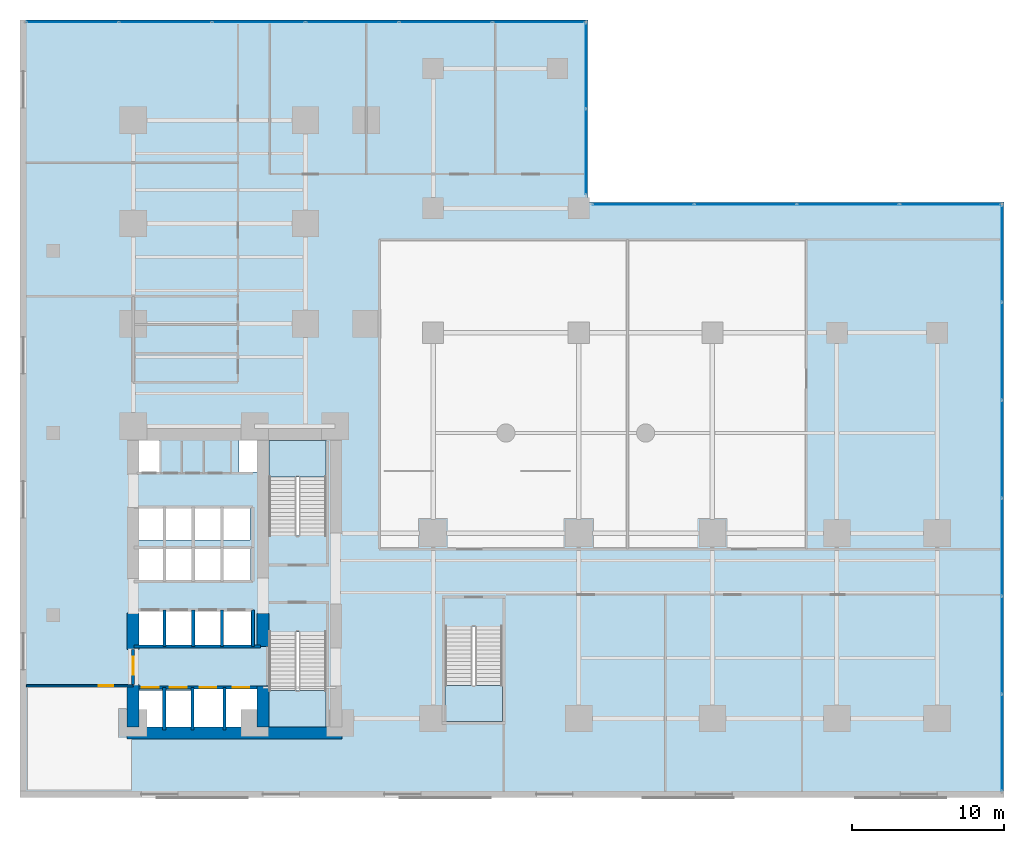
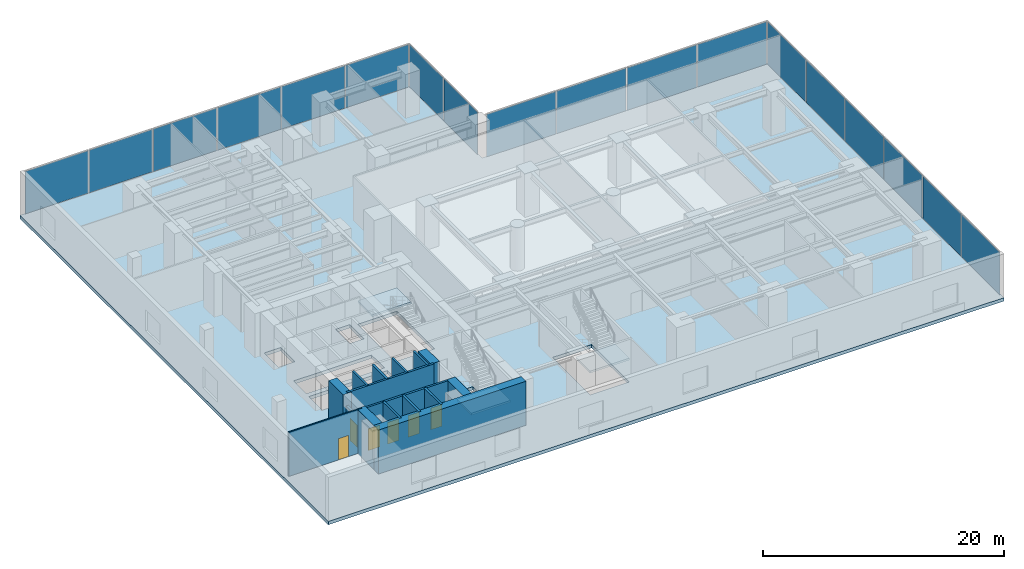
# One storey, part 11 of 16: 18 plates, 16 walls, 6 doors, 4 slabs, 6 openings, 7 elements without a shape of their own.
"""IFC4 building model written with IfcOpenShell, lengths in metres."""

from ifc_helpers import new_model, si_unit, direction, frame, frame_2d, origin, origin_with_axes, origin_2d, place, context, subcontext, project, spatial, polyline, rectangle, outline, extrude, source, transform, mapped, material, layer, layer_set, type_object, element, fill, aggregate, save


model = new_model("IFC4")

# Units and contexts
model_context = context("Model", 3, precision=1e-05, world=origin(), true_north=direction((0.0, 1.0)))
body_context = subcontext(model_context, "Body", "Model", "MODEL_VIEW")
ifc_project = project(units=[si_unit("LENGTHUNIT", "METRE"), si_unit("AREAUNIT", "SQUARE_METRE"), si_unit("VOLUMEUNIT", "CUBIC_METRE"), si_unit("PLANEANGLEUNIT", "RADIAN"), si_unit("MASSUNIT", "GRAM", prefix="KILO")], contexts=[model_context])

# Site, building, storey
site_placement = place(None, origin())
site = spatial("IfcSite", under=ifc_project, at=site_placement, CompositionType="ELEMENT")
building_placement = place(site_placement, origin())
building = spatial("IfcBuilding", under=site, at=building_placement, Name="Kolvaren Waterfront Exchange", CompositionType="ELEMENT")
storey_placement = place(building_placement, frame((0.0, 0.0, 15.199951171875)))
storey = spatial("IfcBuildingStorey", under=building, at=storey_placement, Name="L04", CompositionType="ELEMENT", Elevation=15.199951171875)

# Stair, slab
ifc_material_1 = material(Name="Concrete C40/50", Category="concrete")
stair_type = type_object("IfcStairType", Name="ARC-STAIR-4800", PredefinedType="HALF_TURN_STAIR", material=ifc_material_1)
stair_1_placement = place(storey_placement, origin())
stair_1 = element("IfcStair", 1, at=stair_1_placement, inside=storey, type_object=stair_type, Name="L04 Smoke-proof exit stair ST1", PredefinedType="HALF_TURN_STAIR")
ifc_layer_1 = layer(ifc_material_1, 0.199951171875, Name="Concrete C40/50")
ifc_layer_set_1 = layer_set([ifc_layer_1], Name="Concrete C40/50")
slab_type_1 = type_object("IfcSlabType", Name="STR-LANDING-200", PredefinedType="LANDING", material=ifc_layer_set_1)
slab_1_placement = place(storey_placement, frame((0.0, 0.0, 2.199951171875)))
slab_1 = element("IfcSlab", 2, at=slab_1_placement, type_object=slab_type_1, Name="ST1 landing 1", PredefinedType="LANDING", context=body_context, shape_type="SweptSolid", body=[
    extrude(outline(polyline([(16.39990234375, 7.030029296875), (16.39990234375, 4.64990234375), (20.159912109375, 4.64990234375), (20.159912109375, 7.030029296875), (16.39990234375, 7.030029296875)])), origin(), (0.0, 0.0, 1.0), 0.2001953125),
])
aggregate(stair_1, [slab_1])

stair_2_placement = place(storey_placement, origin())
stair_2 = element("IfcStair", 3, at=stair_2_placement, inside=storey, type_object=stair_type, Name="L04 Smoke-proof exit stair ST2", PredefinedType="HALF_TURN_STAIR")
slab_2_placement = place(storey_placement, frame((0.0, 0.0, 2.199951171875)))
slab_2 = element("IfcSlab", 4, at=slab_2_placement, type_object=slab_type_1, Name="ST2 landing 1", PredefinedType="LANDING", context=body_context, shape_type="SweptSolid", body=[
    extrude(outline(polyline([(20.159912109375, 21.1201171875), (20.159912109375, 23.5), (16.39990234375, 23.5), (16.39990234375, 21.1201171875), (20.159912109375, 21.1201171875)])), origin(), (0.0, 0.0, 1.0), 0.2001953125),
])
aggregate(stair_2, [slab_2])

stair_3_placement = place(storey_placement, origin())
stair_3 = element("IfcStair", 5, at=stair_3_placement, inside=storey, type_object=stair_type, Name="L04 Exit stair ST3", PredefinedType="HALF_TURN_STAIR")
slab_3_placement = place(storey_placement, frame((0.0, 0.0, 2.199951171875)))
slab_3 = element("IfcSlab", 6, at=slab_3_placement, type_object=slab_type_1, Name="ST3 landing 1", PredefinedType="LANDING", context=body_context, shape_type="SweptSolid", body=[
    extrude(outline(polyline([(28.0, 7.3798828125), (28.0, 5.0), (31.760009765625, 5.0), (31.760009765625, 7.3798828125), (28.0, 7.3798828125)])), origin(), (0.0, 0.0, 1.0), 0.2001953125),
])
aggregate(stair_3, [slab_3])

# Slab
ifc_layer_2 = layer(ifc_material_1, 0.340087890625, Name="Concrete C40/50")
ifc_layer_set_2 = layer_set([ifc_layer_2], Name="Concrete C40/50")
slab_type_2 = type_object("IfcSlabType", Name="STR-SLAB-340", PredefinedType="FLOOR", material=ifc_layer_set_2)
slab_4_placement = place(storey_placement, frame((0.0, 0.0, -0.33984375)))
element("IfcSlab", 7, at=slab_4_placement, inside=storey, type_object=slab_type_2, Name="L04 structural floor slab", PredefinedType="FLOOR", context=body_context, shape_type="SweptSolid", body=[
    extrude(outline(polyline([(0.0, 0.0), (64.800048828125, 0.0), (64.800048828125, 39.199951171875), (37.39990234375, 39.199951171875), (37.39990234375, 51.199951171875), (0.0, 51.199951171875), (0.0, 0.0)]), holes=[polyline([(11.320068359375, 7.260009765625), (15.610107421875, 7.260009765625), (15.610107421875, 4.5400390625), (7.719970703125, 4.5400390625), (7.719970703125, 7.06005859375), (11.320068359375, 7.06005859375), (11.320068359375, 7.260009765625)]), polyline([(20.159912109375, 4.64990234375), (16.39990234375, 4.64990234375), (16.39990234375, 10.89990234375), (20.159912109375, 10.89990234375), (20.159912109375, 4.64990234375)]), polyline([(31.760009765625, 5.0), (28.0, 5.0), (28.0, 11.25), (31.760009765625, 11.25), (31.760009765625, 5.0)]), polyline([(15.2099609375, 10.0400390625), (7.6201171875, 10.0400390625), (7.6201171875, 12.360107421875), (15.2099609375, 12.360107421875), (15.2099609375, 10.0400390625)]), polyline([(7.64501953125, 16.4599609375), (15.18505859375, 16.4599609375), (15.18505859375, 14.239990234375), (7.64501953125, 14.239990234375), (7.64501953125, 16.4599609375)]), polyline([(15.159912109375, 16.93994140625), (7.669921875, 16.93994140625), (7.669921875, 19.06005859375), (15.159912109375, 19.06005859375), (15.159912109375, 16.93994140625)]), polyline([(16.39990234375, 23.5), (20.159912109375, 23.5), (20.159912109375, 17.25), (16.39990234375, 17.25), (16.39990234375, 23.5)]), polyline([(7.60009765625, 23.780029296875), (9.179931640625, 23.780029296875), (9.179931640625, 21.419921875), (7.60009765625, 21.419921875), (7.60009765625, 23.780029296875)]), polyline([(15.800048828125, 23.780029296875), (15.800048828125, 21.419921875), (14.419921875, 21.419921875), (14.419921875, 23.780029296875), (15.800048828125, 23.780029296875)])]), origin(), (0.0, 0.0, 1.0), 0.33984375),
])

# Curtain wall, plates
ifc_material_2 = material(Name="Anodised bronze aluminium 6063-T6", Category="aluminium")
ifc_layer_3 = layer(ifc_material_2, 0.219970703125, Name="Anodised bronze aluminium 6063-T6")
ifc_layer_set_3 = layer_set([ifc_layer_3], Name="Anodised bronze aluminium 6063-T6")
curtain_wall_type_1 = type_object("IfcCurtainWallType", Name="ARC-CW-SYS4", PredefinedType="USERDEFINED", material=ifc_layer_set_3)
curtain_wall_1_placement = place(storey_placement, origin())
curtain_wall_1 = element("IfcCurtainWall", 8, at=curtain_wall_1_placement, inside=storey, type_object=curtain_wall_type_1, Name="L04 stick curtain wall CW4 (CW-L04-E1)", ObjectType="STICK CURTAIN WALL", PredefinedType="USERDEFINED")
ifc_material_3 = material(Name="High-span laminated vision glass", Category="glass")
ifc_layer_4 = layer(ifc_material_3, 0.035888671875, Name="High-span laminated vision glass")
ifc_layer_set_4 = layer_set([ifc_layer_4], Name="High-span laminated vision glass")
plate_type_1 = type_object("IfcPlateType", Name="ARC-CWP-36", PredefinedType="CURTAIN_PANEL", material=ifc_layer_set_4)
shared_shape_1 = source(origin_with_axes(), body_context, "Body", "SweptSolid", [
    extrude(rectangle(XDim=6.331787109375, YDim=0.035888671875, at=origin_2d()), origin(), (0.0, 0.0, 1.0), 4.31005859375),
])
plate_1_placement = place(storey_placement, frame((64.659912109375, 3.595947265625, 0.074951171875), z_axis=(0.0, 0.0, 1.0), x_axis=(0.0, 1.0, 0.0)))
plate_1 = element("IfcPlate", 9, at=plate_1_placement, type_object=plate_type_1, Name="CW4 panel 1.1", PredefinedType="CURTAIN_PANEL", context=body_context, shape_type="MappedRepresentation", body=[
    mapped(shared_shape_1, transform((0.0, 0.0, 0.0), x_axis=(1.0, 0.0, 0.0), y_axis=(0.0, 1.0, 0.0), z_axis=(0.0, 0.0, 1.0), scale=1.0)),
])
plate_2_placement = place(storey_placement, frame((64.659912109375, 35.814208984375, 0.074951171875), z_axis=(0.0, 0.0, 1.0), x_axis=(0.0, 1.0, 0.0)))
plate_2 = element("IfcPlate", 10, at=plate_2_placement, type_object=plate_type_1, Name="CW4 panel 6.1", PredefinedType="CURTAIN_PANEL", context=body_context, shape_type="MappedRepresentation", body=[
    mapped(shared_shape_1, transform((0.0, 0.0, 0.0), x_axis=(1.0, 0.0, 0.0), y_axis=(0.0, 1.0, 0.0), z_axis=(0.0, 0.0, 1.0), scale=1.0)),
])
shared_shape_2 = source(origin_with_axes(), body_context, "Body", "SweptSolid", [
    extrude(rectangle(XDim=6.37158203125, YDim=0.035888671875, at=origin_2d()), origin(), (0.0, 0.0, 1.0), 4.31005859375),
])
plate_3_placement = place(storey_placement, frame((64.659912109375, 10.027587890625, 0.074951171875), z_axis=(0.0, 0.0, 1.0), x_axis=(0.0, 1.0, 0.0)))
plate_3 = element("IfcPlate", 11, at=plate_3_placement, type_object=plate_type_1, Name="CW4 panel 2.1", PredefinedType="CURTAIN_PANEL", context=body_context, shape_type="MappedRepresentation", body=[
    mapped(shared_shape_2, transform((0.0, 0.0, 0.0), x_axis=(1.0, 0.0, 0.0), y_axis=(0.0, 1.0, 0.0), z_axis=(0.0, 0.0, 1.0), scale=1.0)),
])
plate_4_placement = place(storey_placement, frame((64.659912109375, 16.479248046875, 0.074951171875), z_axis=(0.0, 0.0, 1.0), x_axis=(0.0, 1.0, 0.0)))
plate_4 = element("IfcPlate", 12, at=plate_4_placement, type_object=plate_type_1, Name="CW4 panel 3.1", PredefinedType="CURTAIN_PANEL", context=body_context, shape_type="MappedRepresentation", body=[
    mapped(shared_shape_2, transform((0.0, 0.0, 0.0), x_axis=(1.0, 0.0, 0.0), y_axis=(0.0, 1.0, 0.0), z_axis=(0.0, 0.0, 1.0), scale=1.0)),
])
plate_5_placement = place(storey_placement, frame((64.659912109375, 22.930908203125, 0.074951171875), z_axis=(0.0, 0.0, 1.0), x_axis=(0.0, 1.0, 0.0)))
plate_5 = element("IfcPlate", 13, at=plate_5_placement, type_object=plate_type_1, Name="CW4 panel 4.1", PredefinedType="CURTAIN_PANEL", context=body_context, shape_type="MappedRepresentation", body=[
    mapped(shared_shape_2, transform((0.0, 0.0, 0.0), x_axis=(1.0, 0.0, 0.0), y_axis=(0.0, 1.0, 0.0), z_axis=(0.0, 0.0, 1.0), scale=1.0)),
])
plate_6_placement = place(storey_placement, frame((64.659912109375, 29.382568359375, 0.074951171875), z_axis=(0.0, 0.0, 1.0), x_axis=(0.0, 1.0, 0.0)))
plate_6 = element("IfcPlate", 14, at=plate_6_placement, type_object=plate_type_1, Name="CW4 panel 5.1", PredefinedType="CURTAIN_PANEL", context=body_context, shape_type="MappedRepresentation", body=[
    mapped(shared_shape_2, transform((0.0, 0.0, 0.0), x_axis=(1.0, 0.0, 0.0), y_axis=(0.0, 1.0, 0.0), z_axis=(0.0, 0.0, 1.0), scale=1.0)),
])
aggregate(curtain_wall_1, [plate_1, plate_3, plate_4, plate_5, plate_6, plate_2])

curtain_wall_2_placement = place(storey_placement, origin())
curtain_wall_2 = element("IfcCurtainWall", 15, at=curtain_wall_2_placement, inside=storey, type_object=curtain_wall_type_1, Name="L04 stick curtain wall CW4 (CW-L04-E2)", ObjectType="STICK CURTAIN WALL", PredefinedType="USERDEFINED")
shared_shape_3 = source(origin_with_axes(), body_context, "Body", "SweptSolid", [
    extrude(rectangle(XDim=6.632568359375, YDim=0.035888671875, at=origin_2d()), origin(), (0.0, 0.0, 1.0), 4.31005859375),
])
plate_7_placement = place(storey_placement, frame((61.263671875, 39.06005859375, 0.074951171875), z_axis=(0.0, 0.0, 1.0), x_axis=(-1.0, 0.0, 0.0)))
plate_7 = element("IfcPlate", 16, at=plate_7_placement, type_object=plate_type_1, Name="CW4 panel 1.1", PredefinedType="CURTAIN_PANEL", context=body_context, shape_type="MappedRepresentation", body=[
    mapped(shared_shape_3, transform((0.0, 0.0, 0.0), x_axis=(1.0, 0.0, 0.0), y_axis=(0.0, 1.0, 0.0), z_axis=(0.0, 0.0, 1.0), scale=1.0)),
])
plate_8_placement = place(storey_placement, frame((41.046142578125, 39.06005859375, 0.074951171875), z_axis=(0.0, 0.0, 1.0), x_axis=(-1.0, 0.0, 0.0)))
plate_8 = element("IfcPlate", 17, at=plate_8_placement, type_object=plate_type_1, Name="CW4 panel 4.1", PredefinedType="CURTAIN_PANEL", context=body_context, shape_type="MappedRepresentation", body=[
    mapped(shared_shape_3, transform((0.0, 0.0, 0.0), x_axis=(1.0, 0.0, 0.0), y_axis=(0.0, 1.0, 0.0), z_axis=(0.0, 0.0, 1.0), scale=1.0)),
])
shared_shape_4 = source(origin_with_axes(), body_context, "Body", "SweptSolid", [
    extrude(rectangle(XDim=6.672607421875, YDim=0.035888671875, at=origin_2d()), origin(), (0.0, 0.0, 1.0), 4.31005859375),
])
plate_9_placement = place(storey_placement, frame((54.53125, 39.06005859375, 0.074951171875), z_axis=(0.0, 0.0, 1.0), x_axis=(-1.0, 0.0, 0.0)))
plate_9 = element("IfcPlate", 18, at=plate_9_placement, type_object=plate_type_1, Name="CW4 panel 2.1", PredefinedType="CURTAIN_PANEL", context=body_context, shape_type="MappedRepresentation", body=[
    mapped(shared_shape_4, transform((0.0, 0.0, 0.0), x_axis=(1.0, 0.0, 0.0), y_axis=(0.0, 1.0, 0.0), z_axis=(0.0, 0.0, 1.0), scale=1.0)),
])
plate_10_placement = place(storey_placement, frame((47.77880859375, 39.06005859375, 0.074951171875), z_axis=(0.0, 0.0, 1.0), x_axis=(-1.0, 0.0, 0.0)))
plate_10 = element("IfcPlate", 19, at=plate_10_placement, type_object=plate_type_1, Name="CW4 panel 3.1", PredefinedType="CURTAIN_PANEL", context=body_context, shape_type="MappedRepresentation", body=[
    mapped(shared_shape_4, transform((0.0, 0.0, 0.0), x_axis=(1.0, 0.0, 0.0), y_axis=(0.0, 1.0, 0.0), z_axis=(0.0, 0.0, 1.0), scale=1.0)),
])
aggregate(curtain_wall_2, [plate_7, plate_9, plate_10, plate_8])

curtain_wall_3_placement = place(storey_placement, origin())
curtain_wall_3 = element("IfcCurtainWall", 20, at=curtain_wall_3_placement, inside=storey, type_object=curtain_wall_type_1, Name="L04 stick curtain wall CW4 (CW-L04-N1)", ObjectType="STICK CURTAIN WALL", PredefinedType="USERDEFINED")
shared_shape_5 = source(origin_with_axes(), body_context, "Body", "SweptSolid", [
    extrude(rectangle(XDim=5.5849609375, YDim=0.035888671875, at=origin_2d()), origin(), (0.0, 0.0, 1.0), 4.31005859375),
])
plate_11_placement = place(storey_placement, frame((37.260009765625, 42.5224609375, 0.074951171875), z_axis=(0.0, 0.0, 1.0), x_axis=(0.0, 1.0, 0.0)))
plate_11 = element("IfcPlate", 21, at=plate_11_placement, type_object=plate_type_1, Name="CW4 panel 1.1", PredefinedType="CURTAIN_PANEL", context=body_context, shape_type="MappedRepresentation", body=[
    mapped(shared_shape_5, transform((0.0, 0.0, 0.0), x_axis=(1.0, 0.0, 0.0), y_axis=(0.0, 1.0, 0.0), z_axis=(0.0, 0.0, 1.0), scale=1.0)),
])
plate_12_placement = place(storey_placement, frame((37.260009765625, 48.1875, 0.074951171875), z_axis=(0.0, 0.0, 1.0), x_axis=(0.0, 1.0, 0.0)))
plate_12 = element("IfcPlate", 22, at=plate_12_placement, type_object=plate_type_1, Name="CW4 panel 2.1", PredefinedType="CURTAIN_PANEL", context=body_context, shape_type="MappedRepresentation", body=[
    mapped(shared_shape_5, transform((0.0, 0.0, 0.0), x_axis=(1.0, 0.0, 0.0), y_axis=(0.0, 1.0, 0.0), z_axis=(0.0, 0.0, 1.0), scale=1.0)),
])
aggregate(curtain_wall_3, [plate_11, plate_12])

ifc_layer_5 = layer(ifc_material_2, 0.219970703125, Name="Anodised bronze aluminium 6063-T6")
ifc_layer_set_5 = layer_set([ifc_layer_5], Name="Anodised bronze aluminium 6063-T6")
curtain_wall_type_2 = type_object("IfcCurtainWallType", Name="ARC-CW-SYS1", PredefinedType="USERDEFINED", material=ifc_layer_set_5)
curtain_wall_4_placement = place(storey_placement, origin())
curtain_wall_4 = element("IfcCurtainWall", 23, at=curtain_wall_4_placement, inside=storey, type_object=curtain_wall_type_2, Name="L04 stick curtain wall CW1 (CW-L04-N2)", ObjectType="STICK CURTAIN WALL", PredefinedType="USERDEFINED")
ifc_material_4 = material(Name="Bronze solar control vision glass", Category="aluminium")
ifc_layer_6 = layer(ifc_material_4, 0.028076171875, Name="Bronze solar control vision glass")
ifc_layer_set_6 = layer_set([ifc_layer_6], Name="Bronze solar control vision glass")
plate_type_2 = type_object("IfcPlateType", Name="ARC-CWP-28", PredefinedType="CURTAIN_PANEL", material=ifc_layer_set_6)
shared_shape_6 = source(origin_with_axes(), body_context, "Body", "SweptSolid", [
    extrude(rectangle(XDim=6.03173828125, YDim=0.028076171875, at=origin_2d()), origin(), (0.0, 0.0, 1.0), 4.31005859375),
])
plate_13_placement = place(storey_placement, frame((34.1640625, 51.06005859375, 0.074951171875), z_axis=(0.0, 0.0, 1.0), x_axis=(-1.0, 0.0, 0.0)))
plate_13 = element("IfcPlate", 24, at=plate_13_placement, type_object=plate_type_2, Name="CW1 panel 1.1", PredefinedType="CURTAIN_PANEL", context=body_context, shape_type="MappedRepresentation", body=[
    mapped(shared_shape_6, transform((0.0, 0.0, 0.0), x_axis=(1.0, 0.0, 0.0), y_axis=(0.0, 1.0, 0.0), z_axis=(0.0, 0.0, 1.0), scale=1.0)),
])
plate_14_placement = place(storey_placement, frame((3.44580078125, 51.06005859375, 0.074951171875), z_axis=(0.0, 0.0, 1.0), x_axis=(-1.0, 0.0, 0.0)))
plate_14 = element("IfcPlate", 25, at=plate_14_placement, type_object=plate_type_2, Name="CW1 panel 6.1", PredefinedType="CURTAIN_PANEL", context=body_context, shape_type="MappedRepresentation", body=[
    mapped(shared_shape_6, transform((0.0, 0.0, 0.0), x_axis=(1.0, 0.0, 0.0), y_axis=(0.0, 1.0, 0.0), z_axis=(0.0, 0.0, 1.0), scale=1.0)),
])
shared_shape_7 = source(origin_with_axes(), body_context, "Body", "SweptSolid", [
    extrude(rectangle(XDim=6.07177734375, YDim=0.028076171875, at=origin_2d()), origin(), (0.0, 0.0, 1.0), 4.31005859375),
])
plate_15_placement = place(storey_placement, frame((28.032470703125, 51.06005859375, 0.074951171875), z_axis=(0.0, 0.0, 1.0), x_axis=(-1.0, 0.0, 0.0)))
plate_15 = element("IfcPlate", 26, at=plate_15_placement, type_object=plate_type_2, Name="CW1 panel 2.1", PredefinedType="CURTAIN_PANEL", context=body_context, shape_type="MappedRepresentation", body=[
    mapped(shared_shape_7, transform((0.0, 0.0, 0.0), x_axis=(1.0, 0.0, 0.0), y_axis=(0.0, 1.0, 0.0), z_axis=(0.0, 0.0, 1.0), scale=1.0)),
])
plate_16_placement = place(storey_placement, frame((21.880859375, 51.06005859375, 0.074951171875), z_axis=(0.0, 0.0, 1.0), x_axis=(-1.0, 0.0, 0.0)))
plate_16 = element("IfcPlate", 27, at=plate_16_placement, type_object=plate_type_2, Name="CW1 panel 3.1", PredefinedType="CURTAIN_PANEL", context=body_context, shape_type="MappedRepresentation", body=[
    mapped(shared_shape_7, transform((0.0, 0.0, 0.0), x_axis=(1.0, 0.0, 0.0), y_axis=(0.0, 1.0, 0.0), z_axis=(0.0, 0.0, 1.0), scale=1.0)),
])
plate_17_placement = place(storey_placement, frame((15.729248046875, 51.06005859375, 0.074951171875), z_axis=(0.0, 0.0, 1.0), x_axis=(-1.0, 0.0, 0.0)))
plate_17 = element("IfcPlate", 28, at=plate_17_placement, type_object=plate_type_2, Name="CW1 panel 4.1", PredefinedType="CURTAIN_PANEL", context=body_context, shape_type="MappedRepresentation", body=[
    mapped(shared_shape_7, transform((0.0, 0.0, 0.0), x_axis=(1.0, 0.0, 0.0), y_axis=(0.0, 1.0, 0.0), z_axis=(0.0, 0.0, 1.0), scale=1.0)),
])
plate_18_placement = place(storey_placement, frame((9.577392578125, 51.06005859375, 0.074951171875), z_axis=(0.0, 0.0, 1.0), x_axis=(-1.0, 0.0, 0.0)))
plate_18 = element("IfcPlate", 29, at=plate_18_placement, type_object=plate_type_2, Name="CW1 panel 5.1", PredefinedType="CURTAIN_PANEL", context=body_context, shape_type="MappedRepresentation", body=[
    mapped(shared_shape_7, transform((0.0, 0.0, 0.0), x_axis=(1.0, 0.0, 0.0), y_axis=(0.0, 1.0, 0.0), z_axis=(0.0, 0.0, 1.0), scale=1.0)),
])
aggregate(curtain_wall_4, [plate_13, plate_15, plate_16, plate_17, plate_18, plate_14])

# Wall
ifc_material_5 = material(Name="Precast concrete C40/50", Category="concrete")
ifc_layer_7 = layer(ifc_material_5, 0.199951171875, Name="Precast concrete C40/50")
ifc_layer_set_7 = layer_set([ifc_layer_7], Name="Precast concrete C40/50")
wall_type_1 = type_object("IfcWallType", Name="ARC-FIRE-200", PredefinedType="PARTITIONING", material=ifc_layer_set_7)
wall_1_placement = place(storey_placement, frame((7.5, 9.949951171875, 0.0), z_axis=(0.0, 0.0, 1.0), x_axis=(1.0, 0.0, 0.0)))
element("IfcWall", 30, at=wall_1_placement, inside=storey, type_object=wall_type_1, Name="L04 interior wall PW-L04-FF-N", PredefinedType="PARTITIONING", context=body_context, shape_type="SweptSolid", body=[
    extrude(rectangle(XDim=8.35009765625, YDim=0.199951171875, at=frame_2d((4.175048828125, 0.0))), origin(), (0.0, 0.0, 1.0), 4.4599609375),
])

# Wall, opening, door
wall_2_placement = place(storey_placement, frame((7.449951171875, 7.449951171875, 0.0), z_axis=(0.0, 0.0, 1.0), x_axis=(0.0, 1.0, 0.0)))
wall_2 = element("IfcWall", 31, at=wall_2_placement, inside=storey, type_object=wall_type_1, Name="L04 interior wall PW-L04-FF-W-DOOR", PredefinedType="PARTITIONING", context=body_context, shape_type="SweptSolid", body=[
    extrude(rectangle(XDim=2.300048828125, YDim=0.199951171875, at=frame_2d((1.14990234375, 0.0))), origin(), (0.0, 0.0, 1.0), 3.239990234375),
])
opening_1_placement = place(wall_2_placement, frame((0.63330078125, 0.0, 0.0)))
opening_1 = element("IfcOpeningElement", 32, at=opening_1_placement, cuts=wall_2, Name="Opening FD3", PredefinedType="OPENING", context=body_context, shape_type="SweptSolid", body=[
    extrude(rectangle(XDim=1.199951171875, YDim=2.25, at=frame_2d((0.60009765625, 1.125))), frame((0.0, 0.10986328125, 0.0), z_axis=(0.0, -1.0, 0.0), x_axis=(1.0, 0.0, 0.0)), (0.0, 0.0, 1.0), 0.219970703125),
])
ifc_material_6 = material(Name="Pressed steel fire door", Category="steel")
door_type_1 = type_object("IfcDoorType", Name="ARC-FD-1200", OperationType="NOTDEFINED", PredefinedType="DOOR", material=ifc_material_6)
door_1_placement = place(opening_1_placement, frame((1.199951171875, 0.0, 0.0), z_axis=(0.0, 0.0, 1.0), x_axis=(-1.0, 0.0, 0.0)))
door_1 = element("IfcDoor", 33, at=door_1_placement, inside=storey, type_object=door_type_1, Name="L04 door DR-L04-FF-OUT (FD3)", OperationType="SINGLE_SWING_LEFT", OverallHeight=2.25, OverallWidth=1.199951171875, PredefinedType="DOOR", context=body_context, shape_type="SweptSolid", body=[
    extrude(rectangle(XDim=1.199951171875, YDim=2.25, at=frame_2d((0.60009765625, 1.125))), frame((0.0, 0.02490234375, 0.0), z_axis=(0.0, -1.0, 0.0), x_axis=(1.0, 0.0, 0.0)), (0.0, 0.0, 1.0), 0.050048828125),
])
fill(opening_1, door_1)

ifc_material_7 = material(Name="Acoustic gypsum steel stud", Category="steel")
ifc_layer_8 = layer(ifc_material_7, 0.125, Name="Acoustic gypsum steel stud")
ifc_layer_set_8 = layer_set([ifc_layer_8], Name="Acoustic gypsum steel stud")
wall_type_2 = type_object("IfcWallType", Name="ARC-PART-125", PredefinedType="PARTITIONING", material=ifc_layer_set_8)
wall_3_placement = place(storey_placement, frame((0.419921875, 7.35009765625, 0.0), z_axis=(0.0, 0.0, 1.0), x_axis=(1.0, 0.0, 0.0)))
wall_3 = element("IfcWall", 34, at=wall_3_placement, inside=storey, type_object=wall_type_2, Name="L04 interior wall PW-L04-POD-WS-N", PredefinedType="PARTITIONING", context=body_context, shape_type="SweptSolid", body=[
    extrude(rectangle(XDim=7.030029296875, YDim=0.125, at=frame_2d((3.51513671875, 0.0))), origin(), (0.0, 0.0, 1.0), 4.4599609375),
])
opening_2_placement = place(wall_3_placement, frame((4.780029296875, 0.0, 0.0)))
opening_2 = element("IfcOpeningElement", 35, at=opening_2_placement, cuts=wall_3, Name="Opening D02", PredefinedType="OPENING", context=body_context, shape_type="SweptSolid", body=[
    extrude(rectangle(XDim=0.949951171875, YDim=2.14990234375, at=frame_2d((0.47509765625, 1.074951171875))), frame((0.0, 0.072509765625, 0.0), z_axis=(0.0, -1.0, 0.0), x_axis=(1.0, 0.0, 0.0)), (0.0, 0.0, 1.0), 0.14501953125),
])
ifc_material_8 = material(Name="Oak veneer acoustic timber", Category="wood")
door_type_2 = type_object("IfcDoorType", Name="ARC-DR-950", OperationType="NOTDEFINED", PredefinedType="DOOR", material=ifc_material_8)
door_2_placement = place(opening_2_placement, origin())
door_2 = element("IfcDoor", 36, at=door_2_placement, inside=storey, type_object=door_type_2, Name="L04 door DR-L04-POD-WS-D (D02)", OperationType="SINGLE_SWING_LEFT", OverallHeight=2.14990234375, OverallWidth=0.949951171875, PredefinedType="DOOR", context=body_context, shape_type="SweptSolid", body=[
    extrude(rectangle(XDim=0.949951171875, YDim=2.14990234375, at=frame_2d((0.47509765625, 1.074951171875))), frame((0.0, 0.02490234375, 0.0), z_axis=(0.0, -1.0, 0.0), x_axis=(1.0, 0.0, 0.0)), (0.0, 0.0, 1.0), 0.050048828125),
])
fill(opening_2, door_2)

# Wall, openings, doors
ifc_layer_9 = layer(ifc_material_1, 0.199951171875, Name="Concrete C40/50")
ifc_layer_set_9 = layer_set([ifc_layer_9], Name="Concrete C40/50")
wall_type_3 = type_object("IfcWallType", Name="ARC-SHAFT-200", PredefinedType="PARTITIONING", material=ifc_layer_set_9)
wall_4_placement = place(storey_placement, frame((7.5, 7.25, 0.0), z_axis=(0.0, 0.0, 1.0), x_axis=(1.0, 0.0, 0.0)))
wall_4 = element("IfcWall", 37, at=wall_4_placement, inside=storey, type_object=wall_type_3, Name="L04 interior wall PW-L04-FF-S", PredefinedType="PARTITIONING", context=body_context, shape_type="SweptSolid", body=[
    extrude(rectangle(XDim=8.35009765625, YDim=0.199951171875, at=frame_2d((4.175048828125, 0.0))), origin(), (0.0, 0.0, 1.0), 4.4599609375),
])
opening_3_placement = place(wall_4_placement, frame((0.530029296875, 0.0, 0.0)))
opening_3 = element("IfcOpeningElement", 38, at=opening_3_placement, cuts=wall_4, Name="Opening LD1", PredefinedType="OPENING", context=body_context, shape_type="SweptSolid", body=[
    extrude(rectangle(XDim=1.10009765625, YDim=2.199951171875, at=frame_2d((0.550048828125, 1.10009765625))), frame((0.0, 0.10986328125, 0.0), z_axis=(0.0, -1.0, 0.0), x_axis=(1.0, 0.0, 0.0)), (0.0, 0.0, 1.0), 0.219970703125),
])
opening_4_placement = place(wall_4_placement, frame((2.3701171875, 0.0, 0.0)))
opening_4 = element("IfcOpeningElement", 39, at=opening_4_placement, cuts=wall_4, Name="Opening LD1", PredefinedType="OPENING", context=body_context, shape_type="SweptSolid", body=[
    extrude(rectangle(XDim=1.10009765625, YDim=2.199951171875, at=frame_2d((0.550048828125, 1.10009765625))), frame((0.0, 0.10986328125, 0.0), z_axis=(0.0, -1.0, 0.0), x_axis=(1.0, 0.0, 0.0)), (0.0, 0.0, 1.0), 0.219970703125),
])
opening_5_placement = place(wall_4_placement, frame((4.330078125, 0.0, 0.0)))
opening_5 = element("IfcOpeningElement", 40, at=opening_5_placement, cuts=wall_4, Name="Opening LD1", PredefinedType="OPENING", context=body_context, shape_type="SweptSolid", body=[
    extrude(rectangle(XDim=1.10009765625, YDim=2.199951171875, at=frame_2d((0.550048828125, 1.10009765625))), frame((0.0, 0.10986328125, 0.0), z_axis=(0.0, -1.0, 0.0), x_axis=(1.0, 0.0, 0.0)), (0.0, 0.0, 1.0), 0.219970703125),
])
opening_6_placement = place(wall_4_placement, frame((6.5, 0.0, 0.0)))
opening_6 = element("IfcOpeningElement", 41, at=opening_6_placement, cuts=wall_4, Name="Opening LD1", PredefinedType="OPENING", context=body_context, shape_type="SweptSolid", body=[
    extrude(rectangle(XDim=1.10009765625, YDim=2.199951171875, at=frame_2d((0.550048828125, 1.10009765625))), frame((0.0, 0.10986328125, 0.0), z_axis=(0.0, -1.0, 0.0), x_axis=(1.0, 0.0, 0.0)), (0.0, 0.0, 1.0), 0.219970703125),
])
ifc_material_9 = material(Name="Stainless steel sliding landing door", Category="steel")
door_type_3 = type_object("IfcDoorType", Name="ARC-LD-FF", OperationType="SLIDING_TO_LEFT", PredefinedType="DOOR", material=ifc_material_9)
door_3_placement = place(opening_3_placement, origin())
door_3 = element("IfcDoor", 42, at=door_3_placement, inside=storey, type_object=door_type_3, Name="L04 door LD-L04-FFL1 (LD1)", OperationType="SLIDING_TO_LEFT", OverallHeight=2.199951171875, OverallWidth=1.10009765625, PredefinedType="DOOR", context=body_context, shape_type="SweptSolid", body=[
    extrude(rectangle(XDim=1.10009765625, YDim=2.199951171875, at=frame_2d((0.550048828125, 1.10009765625))), frame((0.0, 0.02490234375, 0.0), z_axis=(0.0, -1.0, 0.0), x_axis=(1.0, 0.0, 0.0)), (0.0, 0.0, 1.0), 0.050048828125),
])
fill(opening_3, door_3)
door_4_placement = place(opening_4_placement, origin())
door_4 = element("IfcDoor", 43, at=door_4_placement, inside=storey, type_object=door_type_3, Name="L04 door LD-L04-FFL2 (LD1)", OperationType="SLIDING_TO_LEFT", OverallHeight=2.199951171875, OverallWidth=1.10009765625, PredefinedType="DOOR", context=body_context, shape_type="SweptSolid", body=[
    extrude(rectangle(XDim=1.10009765625, YDim=2.199951171875, at=frame_2d((0.550048828125, 1.10009765625))), frame((0.0, 0.02490234375, 0.0), z_axis=(0.0, -1.0, 0.0), x_axis=(1.0, 0.0, 0.0)), (0.0, 0.0, 1.0), 0.050048828125),
])
fill(opening_4, door_4)
door_5_placement = place(opening_5_placement, origin())
door_5 = element("IfcDoor", 44, at=door_5_placement, inside=storey, type_object=door_type_3, Name="L04 door LD-L04-GL1 (LD1)", OperationType="SLIDING_TO_LEFT", OverallHeight=2.199951171875, OverallWidth=1.10009765625, PredefinedType="DOOR", context=body_context, shape_type="SweptSolid", body=[
    extrude(rectangle(XDim=1.10009765625, YDim=2.199951171875, at=frame_2d((0.550048828125, 1.10009765625))), frame((0.0, 0.02490234375, 0.0), z_axis=(0.0, -1.0, 0.0), x_axis=(1.0, 0.0, 0.0)), (0.0, 0.0, 1.0), 0.050048828125),
])
fill(opening_5, door_5)
door_6_placement = place(opening_6_placement, origin())
door_6 = element("IfcDoor", 45, at=door_6_placement, inside=storey, type_object=door_type_3, Name="L04 door LD-L04-GL2 (LD1)", OperationType="SLIDING_TO_LEFT", OverallHeight=2.199951171875, OverallWidth=1.10009765625, PredefinedType="DOOR", context=body_context, shape_type="SweptSolid", body=[
    extrude(rectangle(XDim=1.10009765625, YDim=2.199951171875, at=frame_2d((0.550048828125, 1.10009765625))), frame((0.0, 0.02490234375, 0.0), z_axis=(0.0, -1.0, 0.0), x_axis=(1.0, 0.0, 0.0)), (0.0, 0.0, 1.0), 0.050048828125),
])
fill(opening_6, door_6)

# Walls
for number, where, z_axis, x_axis, name in (
    (46, (9.5, 4.449951171875, 0.0), (0.0, 0.0, 1.0), (0.0, 1.0, 0.0), "L04 interior wall PW-L04-SH1-DIV-95"),
    (47, (11.360107421875, 4.449951171875, 0.0), (0.0, 0.0, 1.0), (0.0, 1.0, 0.0), "L04 interior wall PW-L04-SH1-DIV-113"),
    (48, (13.4599609375, 4.449951171875, 0.0), (0.0, 0.0, 1.0), (0.0, 1.0, 0.0), "L04 interior wall PW-L04-SH1-DIV-134"),
):
    element("IfcWall", number, at=place(storey_placement, frame(where, z_axis=z_axis, x_axis=x_axis)), inside=storey, type_object=wall_type_3, Name=name, PredefinedType="PARTITIONING", context=body_context, shape_type="SweptSolid", body=[
        extrude(rectangle(XDim=2.800048828125, YDim=0.199951171875, at=frame_2d((1.39990234375, 0.0))), origin(), (0.0, 0.0, 1.0), 4.4599609375),
    ])
for number, where, z_axis, x_axis, name in (
    (49, (15.35009765625, 9.949951171875, 0.0), (0.0, 0.0, 1.0), (0.0, 1.0, 0.0), "L04 interior wall PW-L04-PL-E"),
    (50, (9.52001953125, 9.949951171875, 0.0), (0.0, 0.0, 1.0), (0.0, 1.0, 0.0), "L04 interior wall PW-L04-SH2-DIV-95"),
    (51, (11.409912109375, 9.949951171875, 0.0), (0.0, 0.0, 1.0), (0.0, 1.0, 0.0), "L04 interior wall PW-L04-SH2-DIV-114"),
    (52, (13.300048828125, 9.949951171875, 0.0), (0.0, 0.0, 1.0), (0.0, 1.0, 0.0), "L04 interior wall PW-L04-SH2-DIV-133"),
):
    element("IfcWall", number, at=place(storey_placement, frame(where, z_axis=z_axis, x_axis=x_axis)), inside=storey, type_object=wall_type_3, Name=name, PredefinedType="PARTITIONING", context=body_context, shape_type="SweptSolid", body=[
        extrude(rectangle(XDim=2.41015625, YDim=0.199951171875, at=frame_2d((1.205078125, 0.0))), origin(), (0.0, 0.0, 1.0), 4.4599609375),
    ])
ifc_material_10 = material(Name="Concrete C70/85", Category="concrete")
ifc_layer_10 = layer(ifc_material_10, 0.800048828125, Name="Concrete C70/85")
ifc_layer_set_10 = layer_set([ifc_layer_10], Name="Concrete C70/85")
wall_type_4 = type_object("IfcWallType", Name="STR-CWALL-800", PredefinedType="SHEAR", material=ifc_layer_set_10)
wall_5_placement = place(storey_placement, frame((7.050048828125, 4.25, 0.0), z_axis=(0.0, 0.0, 1.0), x_axis=(1.0, 0.0, 0.0)))
element("IfcWall", 53, at=wall_5_placement, inside=storey, type_object=wall_type_4, Name="L04 rear-core shear wall S", PredefinedType="SHEAR", context=body_context, shape_type="SweptSolid", body=[
    extrude(rectangle(XDim=14.14990234375, YDim=0.800048828125, at=frame_2d((7.074951171875, 0.0))), origin(), (0.0, 0.0, 1.0), 4.4599609375),
])
wall_6_placement = place(storey_placement, frame((7.449951171875, 4.64990234375, 0.0), z_axis=(0.0, 0.0, 1.0), x_axis=(0.0, 1.0, 0.0)))
element("IfcWall", 54, at=wall_6_placement, inside=storey, type_object=wall_type_4, Name="L04 rear-core shear wall W1", PredefinedType="SHEAR", context=body_context, shape_type="SweptSolid", body=[
    extrude(rectangle(XDim=2.800048828125, YDim=0.800048828125, at=frame_2d((1.39990234375, 0.0))), origin(), (0.0, 0.0, 1.0), 4.4599609375),
])
wall_7_placement = place(storey_placement, frame((7.449951171875, 9.75, 0.0), z_axis=(0.0, 0.0, 1.0), x_axis=(0.0, 1.0, 0.0)))
element("IfcWall", 55, at=wall_7_placement, inside=storey, type_object=wall_type_4, Name="L04 rear-core shear wall W2A", PredefinedType="SHEAR", context=body_context, shape_type="SweptSolid", body=[
    extrude(rectangle(XDim=2.39990234375, YDim=0.800048828125, at=frame_2d((1.199951171875, 0.0))), origin(), (0.0, 0.0, 1.0), 4.4599609375),
])
wall_8_placement = place(storey_placement, frame((16.0, 4.64990234375, 0.0), z_axis=(0.0, 0.0, 1.0), x_axis=(0.0, 1.0, 0.0)))
element("IfcWall", 56, at=wall_8_placement, inside=storey, type_object=wall_type_4, Name="L04 rear-core shear wall M1", PredefinedType="SHEAR", context=body_context, shape_type="SweptSolid", body=[
    extrude(rectangle(XDim=2.7001953125, YDim=0.800048828125, at=frame_2d((1.35009765625, 0.0))), origin(), (0.0, 0.0, 1.0), 4.4599609375),
])
wall_9_placement = place(storey_placement, frame((16.0, 9.949951171875, 0.0), z_axis=(0.0, 0.0, 1.0), x_axis=(0.0, 1.0, 0.0)))
element("IfcWall", 57, at=wall_9_placement, inside=storey, type_object=wall_type_4, Name="L04 rear-core shear wall M2", PredefinedType="SHEAR", context=body_context, shape_type="SweptSolid", body=[
    extrude(rectangle(XDim=2.150146484375, YDim=0.800048828125, at=frame_2d((1.0751953125, 0.0))), origin(), (0.0, 0.0, 1.0), 4.4599609375),
])

save(model, "model.ifc")
